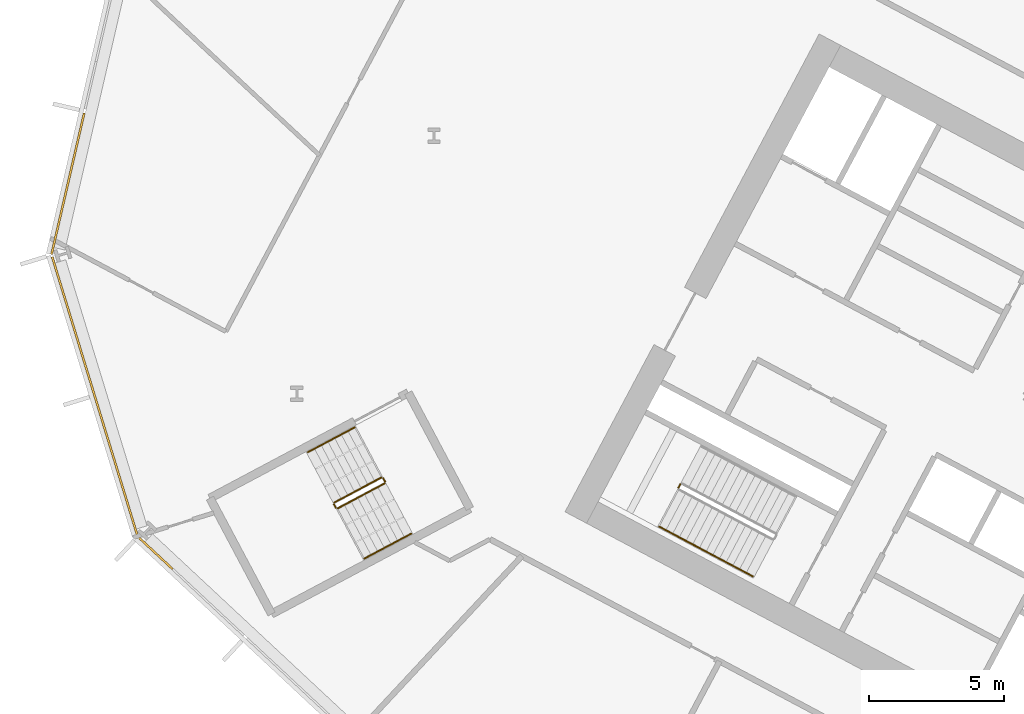
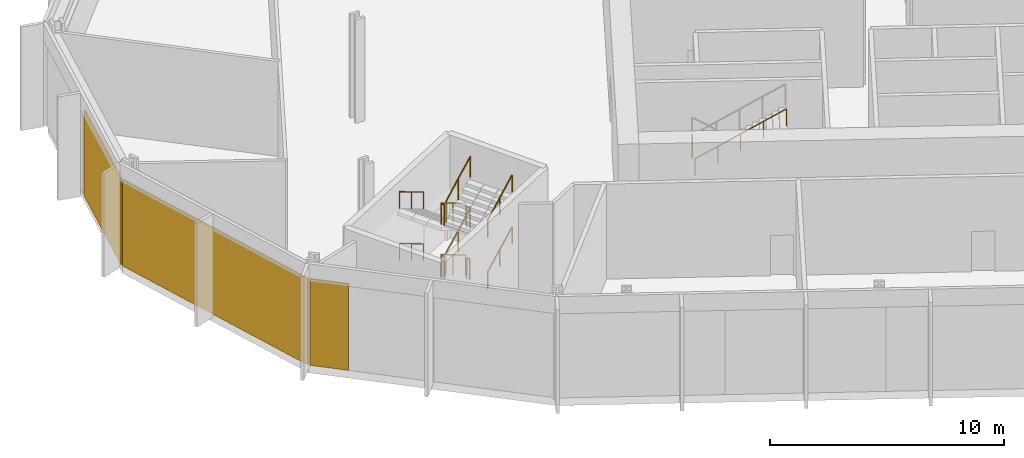
# One storey, part 22 of 32: 14 railings, 3 coverings, 3 elements without a shape of their own.
"""IFC4 building model written with IfcOpenShell, lengths in metres."""

from ifc_helpers import new_model, si_unit, direction, frame, origin, origin_2d, place, context, subcontext, project, spatial, polyline, rectangle, outline, extrude, material, layer, layer_set, type_object, element, aggregate, save


model = new_model("IFC4")

# Units and contexts
model_context = context("Model", 3, precision=1e-05, world=origin(), true_north=direction((0.0, 1.0)))
body_context = subcontext(model_context, "Body", "Model", "MODEL_VIEW")
ifc_project = project(units=[si_unit("LENGTHUNIT", "METRE"), si_unit("AREAUNIT", "SQUARE_METRE"), si_unit("VOLUMEUNIT", "CUBIC_METRE"), si_unit("PLANEANGLEUNIT", "RADIAN"), si_unit("MASSUNIT", "GRAM", prefix="KILO")], contexts=[model_context])

# Site, building, storey
site_placement = place(None, origin())
site = spatial("IfcSite", under=ifc_project, at=site_placement, CompositionType="ELEMENT")
building_placement = place(site_placement, origin())
building = spatial("IfcBuilding", under=site, at=building_placement, Name="Cormorant Relay Tower", CompositionType="ELEMENT")
storey_placement = place(building_placement, frame((0.0, 0.0, 28.39990234375)))
storey = spatial("IfcBuildingStorey", under=building, at=storey_placement, Name="L05", CompositionType="ELEMENT", Elevation=28.39990234375)

# Curtain wall, covering
ifc_material_1 = material(Name="Aluminium 6063-T6 anodised bronze", Category="aluminium")
ifc_layer_1 = layer(ifc_material_1, 0.235107421875)
ifc_layer_set_1 = layer_set([ifc_layer_1], Name="CW6 data hall curtain wall with mineral wool panels")
curtain_wall_type = type_object("IfcCurtainWallType", Name="CW6 data hall curtain wall with mineral wool panels", PredefinedType="NOTDEFINED", material=ifc_layer_set_1)
curtain_wall_1_placement = place(storey_placement, origin())
curtain_wall_1 = element("IfcCurtainWall", 1, at=curtain_wall_1_placement, inside=storey, type_object=curtain_wall_type, Name="CW6 curtain wall 11", PredefinedType="NOTDEFINED")
ifc_material_2 = material(Name="Mineral wool cored anodised bronze aluminium cassette panel", Category="aluminium")
ifc_layer_2 = layer(ifc_material_2, 0.074951171875)
ifc_layer_set_2 = layer_set([ifc_layer_2], Name="CW6 mineral wool cassette panel 75")
covering_type = type_object("IfcCoveringType", Name="CW6 mineral wool cassette panel 75", PredefinedType="CLADDING", material=ifc_layer_set_2)
covering_1_placement = place(storey_placement, frame((-60.153564453125, 23.01318359375, 0.0), z_axis=(0.0, 0.0, 1.0), x_axis=(-0.224951054344, -0.974370064785, 0.0)))
covering_1 = element("IfcCovering", 2, at=covering_1_placement, type_object=covering_type, Name="CW6 panel S02", PredefinedType="CLADDING", context=body_context, shape_type="SweptSolid", body=[
    extrude(rectangle(XDim=5.360107421875, YDim=0.074951171875, at=origin_2d()), origin(), (0.0, 0.0, 1.0), 4.5),
])
aggregate(curtain_wall_1, [covering_1])

curtain_wall_2_placement = place(storey_placement, origin())
curtain_wall_2 = element("IfcCurtainWall", 3, at=curtain_wall_2_placement, inside=storey, type_object=curtain_wall_type, Name="CW6 curtain wall 12", PredefinedType="NOTDEFINED")
covering_2_placement = place(storey_placement, frame((-59.155517578125, 15.148681640625, 0.0), z_axis=(0.0, 0.0, 1.0), x_axis=(0.292371704723, -0.956304755963, 0.0)))
covering_2 = element("IfcCovering", 4, at=covering_2_placement, type_object=covering_type, Name="CW6 panel S00", PredefinedType="CLADDING", context=body_context, shape_type="SweptSolid", body=[
    extrude(rectangle(XDim=10.79541015625, YDim=0.074951171875, at=origin_2d()), origin(), (0.0, 0.0, 1.0), 4.5),
])
aggregate(curtain_wall_2, [covering_2])

curtain_wall_3_placement = place(storey_placement, origin())
curtain_wall_3 = element("IfcCurtainWall", 5, at=curtain_wall_3_placement, inside=storey, type_object=curtain_wall_type, Name="CW6 curtain wall 13", PredefinedType="NOTDEFINED")
covering_3_placement = place(storey_placement, frame((-56.89599609375, 9.3447265625, 0.0), z_axis=(0.0, 0.0, 1.0), x_axis=(0.731353701619, -0.681998360062, 0.0)))
covering_3 = element("IfcCovering", 6, at=covering_3_placement, type_object=covering_type, Name="CW6 panel S00", PredefinedType="CLADDING", context=body_context, shape_type="SweptSolid", body=[
    extrude(rectangle(XDim=1.685302734375, YDim=0.074951171875, at=origin_2d()), origin(), (0.0, 0.0, 1.0), 4.5),
])
aggregate(curtain_wall_3, [covering_3])

# Railings
ifc_material_3 = material(Name="Steel ASTM A572 Grade 50 (Fy 345 MPa)", Category="steel")
railing_type_1 = type_object("IfcRailingType", Name="Stair guard 1100", PredefinedType="GUARDRAIL", material=ifc_material_3)
railing_1_placement = place(storey_placement, frame((-37.52099609375, 11.908935546875, 2.7001953125)))
element("IfcRailing", 7, at=railing_1_placement, inside=storey, type_object=railing_type_1, Name="L05 A2 stair guard 2", PredefinedType="GUARDRAIL", context=body_context, shape_type="SweptSolid", body=[
    extrude(outline(polyline([(0.022216796875, 0.00927734375), (0.00927734375, 0.022216796875), (-0.00927734375, 0.022216796875), (-0.022216796875, 0.00927734375), (-0.022216796875, -0.00927734375), (-0.00927734375, -0.022216796875), (0.00927734375, -0.022216796875), (0.022216796875, -0.00927734375), (0.022216796875, 0.00927734375)])), frame((0.0, 0.0, 1.076171875), z_axis=(-0.469234640946, -0.883073525669, 0.0), x_axis=(0.883073525669, -0.469234640946, 0.0)), (0.0, 0.0, 1.0), 0.14990234375),
    extrude(outline(polyline([(0.019287109375, 0.008056640625), (0.008056640625, 0.019287109375), (-0.008056640625, 0.019287109375), (-0.019287109375, 0.008056640625), (-0.019287109375, -0.008056640625), (-0.008056640625, -0.019287109375), (0.008056640625, -0.019287109375), (0.019287109375, -0.008056640625), (0.019287109375, 0.008056640625)])), origin(), (0.0, 0.0, 1.0), 1.052001953125),
    extrude(outline(polyline([(0.019287109375, 0.008056640625), (0.008056640625, 0.019287109375), (-0.008056640625, 0.019287109375), (-0.019287109375, 0.008056640625), (-0.019287109375, -0.008056640625), (-0.008056640625, -0.019287109375), (0.008056640625, -0.019287109375), (0.019287109375, -0.008056640625), (0.019287109375, 0.008056640625)])), frame((-0.0703125, -0.13232421875, 0.0)), (0.0, 0.0, 1.0), 1.052001953125),
])
railing_2_placement = place(storey_placement, frame((-48.5693359375, 12.155517578125, 0.1689453125)))
element("IfcRailing", 8, at=railing_2_placement, inside=storey, type_object=railing_type_1, Name="L05 RP1 stair guard 1", PredefinedType="GUARDRAIL", context=body_context, shape_type="SweptSolid", body=[
    extrude(outline(polyline([(0.022216796875, 0.00927734375), (0.00927734375, 0.022216796875), (-0.00927734375, 0.022216796875), (-0.022216796875, 0.00927734375), (-0.022216796875, -0.00927734375), (-0.00927734375, -0.022216796875), (0.00927734375, -0.022216796875), (0.022216796875, -0.00927734375), (0.022216796875, 0.00927734375)])), frame((0.0, 0.0, 1.076171875), z_axis=(-0.756267991755, -0.402084082512, 0.516127034012), x_axis=(0.469443581604, -0.882962470149, 0.0)), (0.0, 0.0, 1.0), 2.28857421875),
    extrude(outline(polyline([(0.019287109375, 0.008056640625), (0.008056640625, 0.019287109375), (-0.008056640625, 0.019287109375), (-0.019287109375, 0.008056640625), (-0.019287109375, -0.008056640625), (-0.008056640625, -0.019287109375), (0.008056640625, -0.019287109375), (0.019287109375, -0.008056640625), (0.019287109375, 0.008056640625)])), origin(), (0.0, 0.0, 1.0), 1.052001953125),
    extrude(outline(polyline([(0.019287109375, 0.008056640625), (0.008056640625, 0.019287109375), (-0.008056640625, 0.019287109375), (-0.019287109375, 0.008056640625), (-0.019287109375, -0.008056640625), (-0.008056640625, -0.019287109375), (0.008056640625, -0.019287109375), (0.019287109375, -0.008056640625), (0.019287109375, 0.008056640625)])), frame((-0.865234375, -0.4599609375, 0.590576171875)), (0.0, 0.0, 1.0), 1.052001953125),
    extrude(outline(polyline([(0.019287109375, 0.008056640625), (0.008056640625, 0.019287109375), (-0.008056640625, 0.019287109375), (-0.019287109375, 0.008056640625), (-0.019287109375, -0.008056640625), (-0.008056640625, -0.019287109375), (0.008056640625, -0.019287109375), (0.019287109375, -0.008056640625), (0.019287109375, 0.008056640625)])), frame((-1.730712890625, -0.920166015625, 1.18115234375)), (0.0, 0.0, 1.0), 1.052001953125),
])
railing_3_placement = place(storey_placement, frame((-50.320556640625, 11.167724609375, 1.35009765625)))
element("IfcRailing", 9, at=railing_3_placement, inside=storey, type_object=railing_type_1, Name="L05 RP1 stair guard 2", PredefinedType="GUARDRAIL", context=body_context, shape_type="SweptSolid", body=[
    extrude(outline(polyline([(0.022216796875, 0.00927734375), (0.00927734375, 0.022216796875), (-0.00927734375, 0.022216796875), (-0.022216796875, 0.00927734375), (-0.022216796875, -0.00927734375), (-0.00927734375, -0.022216796875), (0.00927734375, -0.022216796875), (0.022216796875, -0.00927734375), (0.022216796875, 0.00927734375)])), frame((0.0, 0.0, 1.076171875), z_axis=(0.46856034887, -0.8834314911, 0.0), x_axis=(0.8834314911, 0.46856034887, 0.0)), (0.0, 0.0, 1.0), 0.150146484375),
    extrude(outline(polyline([(0.019287109375, 0.008056640625), (0.008056640625, 0.019287109375), (-0.008056640625, 0.019287109375), (-0.019287109375, 0.008056640625), (-0.019287109375, -0.008056640625), (-0.008056640625, -0.019287109375), (0.008056640625, -0.019287109375), (0.019287109375, -0.008056640625), (0.019287109375, 0.008056640625)])), origin(), (0.0, 0.0, 1.0), 1.052001953125),
    extrude(outline(polyline([(0.019287109375, 0.008056640625), (0.008056640625, 0.019287109375), (-0.008056640625, 0.019287109375), (-0.019287109375, 0.008056640625), (-0.019287109375, -0.008056640625), (-0.008056640625, -0.019287109375), (0.008056640625, -0.019287109375), (0.019287109375, -0.008056640625), (0.019287109375, 0.008056640625)])), frame((0.0703125, -0.132568359375, 0.0)), (0.0, 0.0, 1.0), 1.052001953125),
])
railing_4_placement = place(storey_placement, frame((-50.1826171875, 11.014404296875, 1.518798828125)))
element("IfcRailing", 10, at=railing_4_placement, inside=storey, type_object=railing_type_1, Name="L05 RP1 stair guard 3", PredefinedType="GUARDRAIL", context=body_context, shape_type="SweptSolid", body=[
    extrude(outline(polyline([(0.022216796875, 0.00927734375), (0.00927734375, 0.022216796875), (-0.00927734375, 0.022216796875), (-0.022216796875, 0.00927734375), (-0.022216796875, -0.00927734375), (-0.00927734375, -0.022216796875), (0.00927734375, -0.022216796875), (0.022216796875, -0.00927734375), (0.022216796875, 0.00927734375)])), frame((0.0, 0.0, 1.076171875), z_axis=(0.756226349707, 0.402061942735, 0.516205290765), x_axis=(-0.469443581604, 0.882962470149, 0.0)), (0.0, 0.0, 1.0), 2.28857421875),
    extrude(outline(polyline([(0.019287109375, 0.008056640625), (0.008056640625, 0.019287109375), (-0.008056640625, 0.019287109375), (-0.019287109375, 0.008056640625), (-0.019287109375, -0.008056640625), (-0.008056640625, -0.019287109375), (0.008056640625, -0.019287109375), (0.019287109375, -0.008056640625), (0.019287109375, 0.008056640625)])), origin(), (0.0, 0.0, 1.0), 1.052001953125),
    extrude(outline(polyline([(0.019287109375, 0.008056640625), (0.008056640625, 0.019287109375), (-0.008056640625, 0.019287109375), (-0.019287109375, 0.008056640625), (-0.019287109375, -0.008056640625), (-0.008056640625, -0.019287109375), (0.008056640625, -0.019287109375), (0.019287109375, -0.008056640625), (0.019287109375, 0.008056640625)])), frame((0.865234375, 0.4599609375, 0.5908203125)), (0.0, 0.0, 1.0), 1.052001953125),
    extrude(outline(polyline([(0.019287109375, 0.008056640625), (0.008056640625, 0.019287109375), (-0.008056640625, 0.019287109375), (-0.019287109375, 0.008056640625), (-0.019287109375, -0.008056640625), (-0.008056640625, -0.019287109375), (0.008056640625, -0.019287109375), (0.019287109375, -0.008056640625), (0.019287109375, 0.008056640625)])), frame((1.730712890625, 0.920166015625, 1.181396484375)), (0.0, 0.0, 1.0), 1.052001953125),
])
railing_5_placement = place(storey_placement, frame((-48.501708984375, 12.134765625, 2.7001953125)))
element("IfcRailing", 11, at=railing_5_placement, inside=storey, type_object=railing_type_1, Name="L05 RP1 stair guard 4", PredefinedType="GUARDRAIL", context=body_context, shape_type="SweptSolid", body=[
    extrude(outline(polyline([(0.022216796875, 0.00927734375), (0.00927734375, 0.022216796875), (-0.00927734375, 0.022216796875), (-0.022216796875, 0.00927734375), (-0.022216796875, -0.00927734375), (-0.00927734375, -0.022216796875), (0.00927734375, -0.022216796875), (0.022216796875, -0.00927734375), (0.022216796875, 0.00927734375)])), frame((0.0, 0.0, 1.076171875), z_axis=(0.46856034887, -0.8834314911, 0.0), x_axis=(0.8834314911, 0.46856034887, 0.0)), (0.0, 0.0, 1.0), 0.150146484375),
    extrude(outline(polyline([(0.019287109375, 0.008056640625), (0.008056640625, 0.019287109375), (-0.008056640625, 0.019287109375), (-0.019287109375, 0.008056640625), (-0.019287109375, -0.008056640625), (-0.008056640625, -0.019287109375), (0.008056640625, -0.019287109375), (0.019287109375, -0.008056640625), (0.019287109375, 0.008056640625)])), origin(), (0.0, 0.0, 1.0), 1.052001953125),
    extrude(outline(polyline([(0.019287109375, 0.008056640625), (0.008056640625, 0.019287109375), (-0.008056640625, 0.019287109375), (-0.019287109375, 0.008056640625), (-0.019287109375, -0.008056640625), (-0.008056640625, -0.019287109375), (0.008056640625, -0.019287109375), (0.019287109375, -0.008056640625), (0.019287109375, 0.008056640625)])), frame((0.0703125, -0.132568359375, 0.0)), (0.0, 0.0, 1.0), 1.052001953125),
])
railing_6_placement = place(storey_placement, frame((-48.5693359375, 12.155517578125, 2.868896484375)))
element("IfcRailing", 12, at=railing_6_placement, inside=storey, type_object=railing_type_1, Name="L05 RP1 stair guard 5", PredefinedType="GUARDRAIL", context=body_context, shape_type="SweptSolid", body=[
    extrude(outline(polyline([(0.022216796875, 0.00927734375), (0.00927734375, 0.022216796875), (-0.00927734375, 0.022216796875), (-0.022216796875, 0.00927734375), (-0.022216796875, -0.00927734375), (-0.00927734375, -0.022216796875), (0.00927734375, -0.022216796875), (0.022216796875, -0.00927734375), (0.022216796875, 0.00927734375)])), frame((0.0, 0.0, 1.076171875), z_axis=(-0.756267991755, -0.402084082512, 0.516127034012), x_axis=(0.469443581604, -0.882962470149, 0.0)), (0.0, 0.0, 1.0), 2.28857421875),
    extrude(outline(polyline([(0.019287109375, 0.008056640625), (0.008056640625, 0.019287109375), (-0.008056640625, 0.019287109375), (-0.019287109375, 0.008056640625), (-0.019287109375, -0.008056640625), (-0.008056640625, -0.019287109375), (0.008056640625, -0.019287109375), (0.019287109375, -0.008056640625), (0.019287109375, 0.008056640625)])), origin(), (0.0, 0.0, 1.0), 1.052001953125),
    extrude(outline(polyline([(0.019287109375, 0.008056640625), (0.008056640625, 0.019287109375), (-0.008056640625, 0.019287109375), (-0.019287109375, 0.008056640625), (-0.019287109375, -0.008056640625), (-0.008056640625, -0.019287109375), (0.008056640625, -0.019287109375), (0.019287109375, -0.008056640625), (0.019287109375, 0.008056640625)])), frame((-0.865234375, -0.4599609375, 0.590576171875)), (0.0, 0.0, 1.0), 1.052001953125),
    extrude(outline(polyline([(0.019287109375, 0.008056640625), (0.008056640625, 0.019287109375), (-0.008056640625, 0.019287109375), (-0.019287109375, 0.008056640625), (-0.019287109375, -0.008056640625), (-0.008056640625, -0.019287109375), (0.008056640625, -0.019287109375), (0.019287109375, -0.008056640625), (0.019287109375, 0.008056640625)])), frame((-1.730712890625, -0.920166015625, 1.18115234375)), (0.0, 0.0, 1.0), 1.052001953125),
])
railing_7_placement = place(storey_placement, frame((-50.320556640625, 11.167724609375, 4.050048828125)))
element("IfcRailing", 13, at=railing_7_placement, inside=storey, type_object=railing_type_1, Name="L05 RP1 stair guard 6", PredefinedType="GUARDRAIL", context=body_context, shape_type="SweptSolid", body=[
    extrude(outline(polyline([(0.022216796875, 0.00927734375), (0.00927734375, 0.022216796875), (-0.00927734375, 0.022216796875), (-0.022216796875, 0.00927734375), (-0.022216796875, -0.00927734375), (-0.00927734375, -0.022216796875), (0.00927734375, -0.022216796875), (0.022216796875, -0.00927734375), (0.022216796875, 0.00927734375)])), frame((0.0, 0.0, 1.076171875), z_axis=(0.46856034887, -0.8834314911, 0.0), x_axis=(0.8834314911, 0.46856034887, 0.0)), (0.0, 0.0, 1.0), 0.150146484375),
    extrude(outline(polyline([(0.019287109375, 0.008056640625), (0.008056640625, 0.019287109375), (-0.008056640625, 0.019287109375), (-0.019287109375, 0.008056640625), (-0.019287109375, -0.008056640625), (-0.008056640625, -0.019287109375), (0.008056640625, -0.019287109375), (0.019287109375, -0.008056640625), (0.019287109375, 0.008056640625)])), origin(), (0.0, 0.0, 1.0), 1.052001953125),
    extrude(outline(polyline([(0.019287109375, 0.008056640625), (0.008056640625, 0.019287109375), (-0.008056640625, 0.019287109375), (-0.019287109375, 0.008056640625), (-0.019287109375, -0.008056640625), (-0.008056640625, -0.019287109375), (0.008056640625, -0.019287109375), (0.019287109375, -0.008056640625), (0.019287109375, 0.008056640625)])), frame((0.0703125, -0.132568359375, 0.0)), (0.0, 0.0, 1.0), 1.052001953125),
])
railing_8_placement = place(storey_placement, frame((-50.1826171875, 11.014404296875, 4.21875)))
element("IfcRailing", 14, at=railing_8_placement, inside=storey, type_object=railing_type_1, Name="L05 RP1 stair guard 7", PredefinedType="GUARDRAIL", context=body_context, shape_type="SweptSolid", body=[
    extrude(outline(polyline([(0.022216796875, 0.00927734375), (0.00927734375, 0.022216796875), (-0.00927734375, 0.022216796875), (-0.022216796875, 0.00927734375), (-0.022216796875, -0.00927734375), (-0.00927734375, -0.022216796875), (0.00927734375, -0.022216796875), (0.022216796875, -0.00927734375), (0.022216796875, 0.00927734375)])), frame((0.0, 0.0, 1.076171875), z_axis=(0.756226349707, 0.402061942735, 0.516205290765), x_axis=(-0.469443581604, 0.882962470149, 0.0)), (0.0, 0.0, 1.0), 2.28857421875),
    extrude(outline(polyline([(0.019287109375, 0.008056640625), (0.008056640625, 0.019287109375), (-0.008056640625, 0.019287109375), (-0.019287109375, 0.008056640625), (-0.019287109375, -0.008056640625), (-0.008056640625, -0.019287109375), (0.008056640625, -0.019287109375), (0.019287109375, -0.008056640625), (0.019287109375, 0.008056640625)])), origin(), (0.0, 0.0, 1.0), 1.052001953125),
    extrude(outline(polyline([(0.019287109375, 0.008056640625), (0.008056640625, 0.019287109375), (-0.008056640625, 0.019287109375), (-0.019287109375, 0.008056640625), (-0.019287109375, -0.008056640625), (-0.008056640625, -0.019287109375), (0.008056640625, -0.019287109375), (0.019287109375, -0.008056640625), (0.019287109375, 0.008056640625)])), frame((0.865234375, 0.4599609375, 0.5908203125)), (0.0, 0.0, 1.0), 1.052001953125),
    extrude(outline(polyline([(0.019287109375, 0.008056640625), (0.008056640625, 0.019287109375), (-0.008056640625, 0.019287109375), (-0.019287109375, 0.008056640625), (-0.019287109375, -0.008056640625), (-0.008056640625, -0.019287109375), (0.008056640625, -0.019287109375), (0.019287109375, -0.008056640625), (0.019287109375, 0.008056640625)])), frame((1.730712890625, 0.920166015625, 1.181396484375)), (0.0, 0.0, 1.0), 1.052001953125),
])
railing_9_placement = place(storey_placement, frame((-48.501708984375, 12.134765625, 0.0)))
element("IfcRailing", 15, at=railing_9_placement, inside=storey, type_object=railing_type_1, Name="L05 RP1 stair guard 8", PredefinedType="GUARDRAIL", context=body_context, shape_type="SweptSolid", body=[
    extrude(outline(polyline([(0.022216796875, 0.00927734375), (0.00927734375, 0.022216796875), (-0.00927734375, 0.022216796875), (-0.022216796875, 0.00927734375), (-0.022216796875, -0.00927734375), (-0.00927734375, -0.022216796875), (0.00927734375, -0.022216796875), (0.022216796875, -0.00927734375), (0.022216796875, 0.00927734375)])), frame((0.0, 0.0, 1.076171875), z_axis=(0.46856034887, -0.8834314911, 0.0), x_axis=(0.8834314911, 0.46856034887, 0.0)), (0.0, 0.0, 1.0), 0.150146484375),
    extrude(outline(polyline([(0.019287109375, 0.008056640625), (0.008056640625, 0.019287109375), (-0.008056640625, 0.019287109375), (-0.019287109375, 0.008056640625), (-0.019287109375, -0.008056640625), (-0.008056640625, -0.019287109375), (0.008056640625, -0.019287109375), (0.019287109375, -0.008056640625), (0.019287109375, 0.008056640625)])), origin(), (0.0, 0.0, 1.0), 1.052001953125),
    extrude(outline(polyline([(0.019287109375, 0.008056640625), (0.008056640625, 0.019287109375), (-0.008056640625, 0.019287109375), (-0.019287109375, 0.008056640625), (-0.019287109375, -0.008056640625), (-0.008056640625, -0.019287109375), (0.008056640625, -0.019287109375), (0.019287109375, -0.008056640625), (0.019287109375, 0.008056640625)])), frame((0.0703125, -0.132568359375, 0.0)), (0.0, 0.0, 1.0), 1.052001953125),
])
ifc_material_4 = material(Name="Steel ASTM A572 Grade 50 (Fy 345 MPa)", Category="steel")
railing_type_2 = type_object("IfcRailingType", Name="Stair handrail 900", PredefinedType="HANDRAIL", material=ifc_material_4)
railing_10_placement = place(storey_placement, frame((-38.29833984375, 10.34033203125, 2.880126953125)))
element("IfcRailing", 16, at=railing_10_placement, inside=storey, type_object=railing_type_2, Name="L05 A2 stair handrail 2", PredefinedType="HANDRAIL", context=body_context, shape_type="SweptSolid", body=[
    extrude(outline(polyline([(0.022216796875, 0.00927734375), (0.00927734375, 0.022216796875), (-0.00927734375, 0.022216796875), (-0.022216796875, 0.00927734375), (-0.022216796875, -0.00927734375), (-0.00927734375, -0.022216796875), (0.00927734375, -0.022216796875), (0.022216796875, -0.00927734375), (0.022216796875, 0.00927734375)])), frame((0.0, 0.0, 0.8759765625), z_axis=(0.74271721126, -0.394907409077, 0.540758062681), x_axis=(0.469469396681, 0.882948744594, 0.0)), (0.0, 0.0, 1.0), 4.66015625),
    extrude(outline(polyline([(0.019287109375, 0.008056640625), (0.008056640625, 0.019287109375), (-0.008056640625, 0.019287109375), (-0.019287109375, 0.008056640625), (-0.019287109375, -0.008056640625), (-0.008056640625, -0.019287109375), (0.008056640625, -0.019287109375), (0.019287109375, -0.008056640625), (0.019287109375, 0.008056640625)])), origin(), (0.0, 0.0, 1.0), 0.851806640625),
    extrude(outline(polyline([(0.019287109375, 0.008056640625), (0.008056640625, 0.019287109375), (-0.008056640625, 0.019287109375), (-0.019287109375, 0.008056640625), (-0.019287109375, -0.008056640625), (-0.008056640625, -0.019287109375), (0.008056640625, -0.019287109375), (0.019287109375, -0.008056640625), (0.019287109375, 0.008056640625)])), frame((0.865234375, -0.4599609375, 0.6298828125)), (0.0, 0.0, 1.0), 0.851806640625),
    extrude(outline(polyline([(0.019287109375, 0.008056640625), (0.008056640625, 0.019287109375), (-0.008056640625, 0.019287109375), (-0.019287109375, 0.008056640625), (-0.019287109375, -0.008056640625), (-0.008056640625, -0.019287109375), (0.008056640625, -0.019287109375), (0.019287109375, -0.008056640625), (0.019287109375, 0.008056640625)])), frame((1.73046875, -0.920166015625, 1.260009765625)), (0.0, 0.0, 1.0), 0.851806640625),
    extrude(outline(polyline([(0.019287109375, 0.008056640625), (0.008056640625, 0.019287109375), (-0.008056640625, 0.019287109375), (-0.019287109375, 0.008056640625), (-0.019287109375, -0.008056640625), (-0.008056640625, -0.019287109375), (0.008056640625, -0.019287109375), (0.019287109375, -0.008056640625), (0.019287109375, 0.008056640625)])), frame((2.595947265625, -1.38037109375, 1.89013671875)), (0.0, 0.0, 1.0), 0.851806640625),
    extrude(outline(polyline([(0.019287109375, 0.008056640625), (0.008056640625, 0.019287109375), (-0.008056640625, 0.019287109375), (-0.019287109375, 0.008056640625), (-0.019287109375, -0.008056640625), (-0.008056640625, -0.019287109375), (0.008056640625, -0.019287109375), (0.019287109375, -0.008056640625), (0.019287109375, 0.008056640625)])), frame((3.461181640625, -1.84033203125, 2.52001953125)), (0.0, 0.0, 1.0), 0.851806640625),
])
railing_11_placement = place(storey_placement, frame((-49.55517578125, 14.009521484375, 0.1689453125)))
element("IfcRailing", 17, at=railing_11_placement, inside=storey, type_object=railing_type_2, Name="L05 RP1 stair handrail 1", PredefinedType="HANDRAIL", context=body_context, shape_type="SweptSolid", body=[
    extrude(outline(polyline([(0.022216796875, 0.00927734375), (0.00927734375, 0.022216796875), (-0.00927734375, 0.022216796875), (-0.022216796875, 0.00927734375), (-0.022216796875, -0.00927734375), (-0.00927734375, -0.022216796875), (0.00927734375, -0.022216796875), (0.022216796875, -0.00927734375), (0.022216796875, 0.00927734375)])), frame((0.0, 0.0, 0.8759765625), z_axis=(-0.756267991755, -0.402084082512, 0.516127034012), x_axis=(0.469443581604, -0.882962470149, 0.0)), (0.0, 0.0, 1.0), 2.28857421875),
    extrude(outline(polyline([(0.019287109375, 0.008056640625), (0.008056640625, 0.019287109375), (-0.008056640625, 0.019287109375), (-0.019287109375, 0.008056640625), (-0.019287109375, -0.008056640625), (-0.008056640625, -0.019287109375), (0.008056640625, -0.019287109375), (0.019287109375, -0.008056640625), (0.019287109375, 0.008056640625)])), origin(), (0.0, 0.0, 1.0), 0.851806640625),
    extrude(outline(polyline([(0.019287109375, 0.008056640625), (0.008056640625, 0.019287109375), (-0.008056640625, 0.019287109375), (-0.019287109375, 0.008056640625), (-0.019287109375, -0.008056640625), (-0.008056640625, -0.019287109375), (0.008056640625, -0.019287109375), (0.019287109375, -0.008056640625), (0.019287109375, 0.008056640625)])), frame((-0.865234375, -0.4599609375, 0.590576171875)), (0.0, 0.0, 1.0), 0.851806640625),
    extrude(outline(polyline([(0.019287109375, 0.008056640625), (0.008056640625, 0.019287109375), (-0.008056640625, 0.019287109375), (-0.019287109375, 0.008056640625), (-0.019287109375, -0.008056640625), (-0.008056640625, -0.019287109375), (0.008056640625, -0.019287109375), (0.019287109375, -0.008056640625), (0.019287109375, 0.008056640625)])), frame((-1.730712890625, -0.920166015625, 1.18115234375)), (0.0, 0.0, 1.0), 0.851806640625),
])
railing_12_placement = place(storey_placement, frame((-49.19677734375, 9.160400390625, 1.518798828125)))
element("IfcRailing", 18, at=railing_12_placement, inside=storey, type_object=railing_type_2, Name="L05 RP1 stair handrail 2", PredefinedType="HANDRAIL", context=body_context, shape_type="SweptSolid", body=[
    extrude(outline(polyline([(0.022216796875, 0.00927734375), (0.00927734375, 0.022216796875), (-0.00927734375, 0.022216796875), (-0.022216796875, 0.00927734375), (-0.022216796875, -0.00927734375), (-0.00927734375, -0.022216796875), (0.00927734375, -0.022216796875), (0.022216796875, -0.00927734375), (0.022216796875, 0.00927734375)])), frame((0.0, 0.0, 0.8759765625), z_axis=(0.756226349707, 0.402061942735, 0.516205290765), x_axis=(-0.469443581604, 0.882962470149, 0.0)), (0.0, 0.0, 1.0), 2.28857421875),
    extrude(outline(polyline([(0.019287109375, 0.008056640625), (0.008056640625, 0.019287109375), (-0.008056640625, 0.019287109375), (-0.019287109375, 0.008056640625), (-0.019287109375, -0.008056640625), (-0.008056640625, -0.019287109375), (0.008056640625, -0.019287109375), (0.019287109375, -0.008056640625), (0.019287109375, 0.008056640625)])), origin(), (0.0, 0.0, 1.0), 0.851806640625),
    extrude(outline(polyline([(0.019287109375, 0.008056640625), (0.008056640625, 0.019287109375), (-0.008056640625, 0.019287109375), (-0.019287109375, 0.008056640625), (-0.019287109375, -0.008056640625), (-0.008056640625, -0.019287109375), (0.008056640625, -0.019287109375), (0.019287109375, -0.008056640625), (0.019287109375, 0.008056640625)])), frame((0.865234375, 0.4599609375, 0.5908203125)), (0.0, 0.0, 1.0), 0.851806640625),
    extrude(outline(polyline([(0.019287109375, 0.008056640625), (0.008056640625, 0.019287109375), (-0.008056640625, 0.019287109375), (-0.019287109375, 0.008056640625), (-0.019287109375, -0.008056640625), (-0.008056640625, -0.019287109375), (0.008056640625, -0.019287109375), (0.019287109375, -0.008056640625), (0.019287109375, 0.008056640625)])), frame((1.730712890625, 0.920166015625, 1.181396484375)), (0.0, 0.0, 1.0), 0.851806640625),
])
railing_13_placement = place(storey_placement, frame((-49.55517578125, 14.009521484375, 2.868896484375)))
element("IfcRailing", 19, at=railing_13_placement, inside=storey, type_object=railing_type_2, Name="L05 RP1 stair handrail 3", PredefinedType="HANDRAIL", context=body_context, shape_type="SweptSolid", body=[
    extrude(outline(polyline([(0.022216796875, 0.00927734375), (0.00927734375, 0.022216796875), (-0.00927734375, 0.022216796875), (-0.022216796875, 0.00927734375), (-0.022216796875, -0.00927734375), (-0.00927734375, -0.022216796875), (0.00927734375, -0.022216796875), (0.022216796875, -0.00927734375), (0.022216796875, 0.00927734375)])), frame((0.0, 0.0, 0.8759765625), z_axis=(-0.756267991755, -0.402084082512, 0.516127034012), x_axis=(0.469443581604, -0.882962470149, 0.0)), (0.0, 0.0, 1.0), 2.28857421875),
    extrude(outline(polyline([(0.019287109375, 0.008056640625), (0.008056640625, 0.019287109375), (-0.008056640625, 0.019287109375), (-0.019287109375, 0.008056640625), (-0.019287109375, -0.008056640625), (-0.008056640625, -0.019287109375), (0.008056640625, -0.019287109375), (0.019287109375, -0.008056640625), (0.019287109375, 0.008056640625)])), origin(), (0.0, 0.0, 1.0), 0.851806640625),
    extrude(outline(polyline([(0.019287109375, 0.008056640625), (0.008056640625, 0.019287109375), (-0.008056640625, 0.019287109375), (-0.019287109375, 0.008056640625), (-0.019287109375, -0.008056640625), (-0.008056640625, -0.019287109375), (0.008056640625, -0.019287109375), (0.019287109375, -0.008056640625), (0.019287109375, 0.008056640625)])), frame((-0.865234375, -0.4599609375, 0.590576171875)), (0.0, 0.0, 1.0), 0.851806640625),
    extrude(outline(polyline([(0.019287109375, 0.008056640625), (0.008056640625, 0.019287109375), (-0.008056640625, 0.019287109375), (-0.019287109375, 0.008056640625), (-0.019287109375, -0.008056640625), (-0.008056640625, -0.019287109375), (0.008056640625, -0.019287109375), (0.019287109375, -0.008056640625), (0.019287109375, 0.008056640625)])), frame((-1.730712890625, -0.920166015625, 1.18115234375)), (0.0, 0.0, 1.0), 0.851806640625),
])
railing_14_placement = place(storey_placement, frame((-49.19677734375, 9.160400390625, 4.21875)))
element("IfcRailing", 20, at=railing_14_placement, inside=storey, type_object=railing_type_2, Name="L05 RP1 stair handrail 4", PredefinedType="HANDRAIL", context=body_context, shape_type="SweptSolid", body=[
    extrude(outline(polyline([(0.022216796875, 0.00927734375), (0.00927734375, 0.022216796875), (-0.00927734375, 0.022216796875), (-0.022216796875, 0.00927734375), (-0.022216796875, -0.00927734375), (-0.00927734375, -0.022216796875), (0.00927734375, -0.022216796875), (0.022216796875, -0.00927734375), (0.022216796875, 0.00927734375)])), frame((0.0, 0.0, 0.8759765625), z_axis=(0.756226349707, 0.402061942735, 0.516205290765), x_axis=(-0.469443581604, 0.882962470149, 0.0)), (0.0, 0.0, 1.0), 2.28857421875),
    extrude(outline(polyline([(0.019287109375, 0.008056640625), (0.008056640625, 0.019287109375), (-0.008056640625, 0.019287109375), (-0.019287109375, 0.008056640625), (-0.019287109375, -0.008056640625), (-0.008056640625, -0.019287109375), (0.008056640625, -0.019287109375), (0.019287109375, -0.008056640625), (0.019287109375, 0.008056640625)])), origin(), (0.0, 0.0, 1.0), 0.851806640625),
    extrude(outline(polyline([(0.019287109375, 0.008056640625), (0.008056640625, 0.019287109375), (-0.008056640625, 0.019287109375), (-0.019287109375, 0.008056640625), (-0.019287109375, -0.008056640625), (-0.008056640625, -0.019287109375), (0.008056640625, -0.019287109375), (0.019287109375, -0.008056640625), (0.019287109375, 0.008056640625)])), frame((0.865234375, 0.4599609375, 0.5908203125)), (0.0, 0.0, 1.0), 0.851806640625),
    extrude(outline(polyline([(0.019287109375, 0.008056640625), (0.008056640625, 0.019287109375), (-0.008056640625, 0.019287109375), (-0.019287109375, 0.008056640625), (-0.019287109375, -0.008056640625), (-0.008056640625, -0.019287109375), (0.008056640625, -0.019287109375), (0.019287109375, -0.008056640625), (0.019287109375, 0.008056640625)])), frame((1.730712890625, 0.920166015625, 1.181396484375)), (0.0, 0.0, 1.0), 0.851806640625),
])

save(model, "model.ifc")
